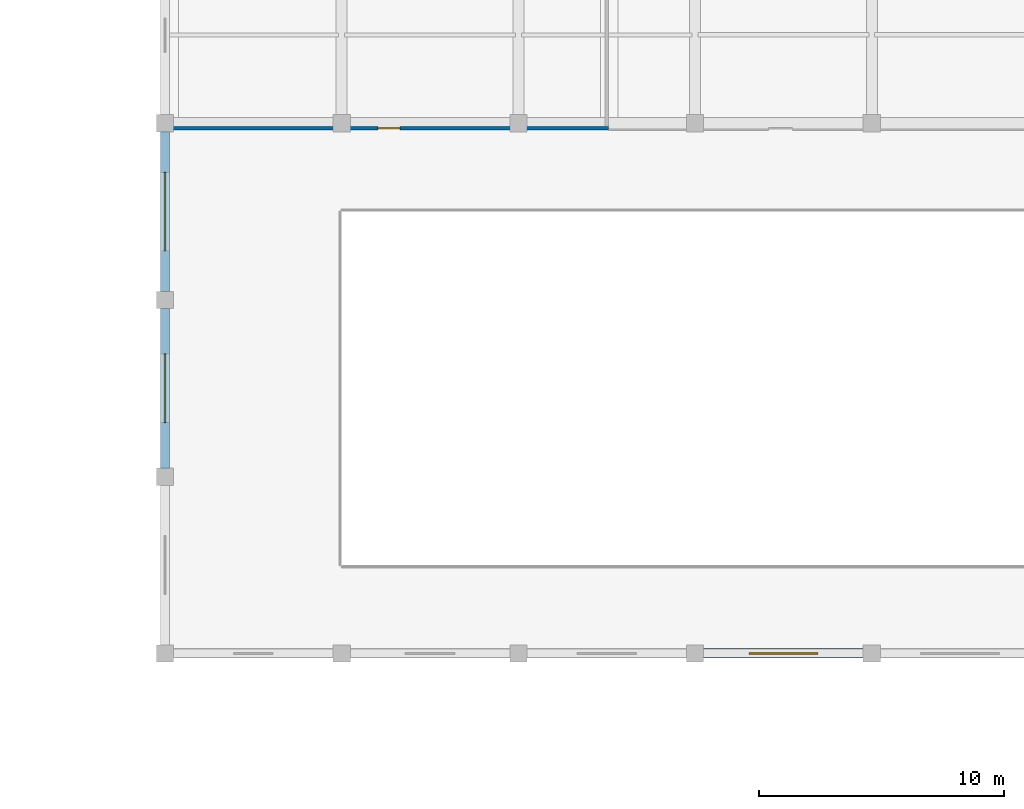
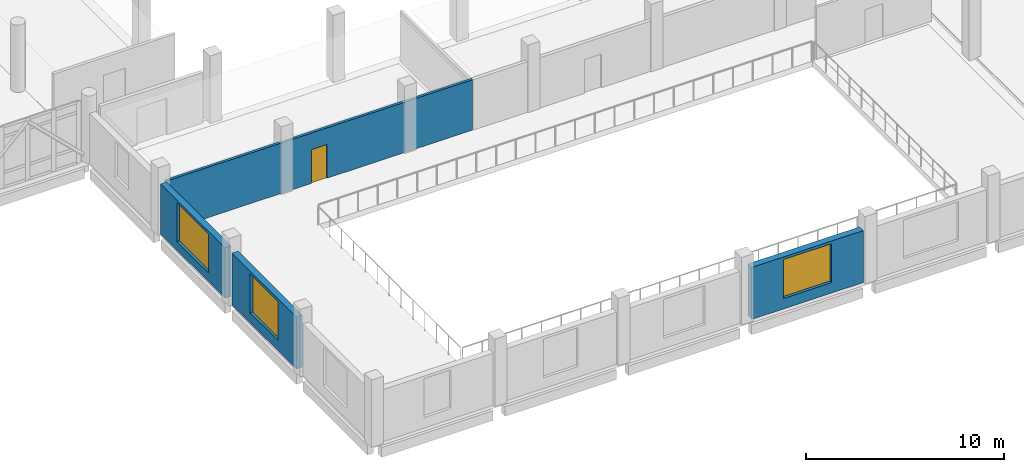
# One storey, part 34 of 57: 4 walls, 3 windows, 1 door, 4 openings.
"""IFC4 building model written with IfcOpenShell, lengths in metres."""

from ifc_helpers import new_model, si_unit, direction, frame, frame_2d, origin, place, context, subcontext, project, spatial, rectangle, extrude, material, layer, layer_set, type_object, element, fill, save


model = new_model("IFC4")

# Units and contexts
model_context = context("Model", 3, precision=1e-05, world=origin(), true_north=direction((0.0, 1.0)))
body_context = subcontext(model_context, "Body", "Model", "MODEL_VIEW")
ifc_project = project(units=[si_unit("LENGTHUNIT", "METRE"), si_unit("AREAUNIT", "SQUARE_METRE"), si_unit("VOLUMEUNIT", "CUBIC_METRE"), si_unit("PLANEANGLEUNIT", "RADIAN"), si_unit("MASSUNIT", "GRAM", prefix="KILO")], contexts=[model_context])

# Site, building, storey
site_placement = place(None, origin())
site = spatial("IfcSite", under=ifc_project, at=site_placement, CompositionType="ELEMENT")
building_placement = place(site_placement, origin())
building = spatial("IfcBuilding", under=site, at=building_placement, Name="Valkovuoma Quantum and Materials Research Institute", CompositionType="ELEMENT")
storey_placement = place(building_placement, frame((0.0, 0.0, 4.800048828125)))
storey = spatial("IfcBuildingStorey", under=building, at=storey_placement, Name="L01", CompositionType="ELEMENT", Elevation=4.800048828125)

# Wall, opening, window
ifc_material_1 = material(Name="Precast concrete C40/50", Category="concrete")
ifc_layer_1 = layer(ifc_material_1, 0.360107421875)
ifc_layer_set_1 = layer_set([ifc_layer_1], Name="Precast concrete C40/50")
wall_type_1 = type_object("IfcWallType", Name="Wall-W-EXT360", PredefinedType="SOLIDWALL", material=ifc_layer_set_1)
wall_1_placement = place(storey_placement, frame((100.800048828125, 14.739990234375, 0.0), z_axis=(0.0, 0.0, 1.0), x_axis=(0.0, 1.0, 0.0)))
wall_1 = element("IfcWall", 1, at=wall_1_placement, inside=storey, type_object=wall_type_1, Name="L01 exterior wall 0099", PredefinedType="SOLIDWALL", context=body_context, shape_type="SweptSolid", body=[
    extrude(rectangle(XDim=6.52001953125, YDim=0.360107421875, at=frame_2d((3.260009765625, 0.0))), origin(), (0.0, 0.0, 1.0), 3.2099609375),
])
opening_1_placement = place(wall_1_placement, frame((1.860107421875, 0.0, 0.64990234375)))
opening_1 = element("IfcOpeningElement", 2, at=opening_1_placement, cuts=wall_1, Name="Opening WN-LF04", PredefinedType="OPENING", context=body_context, shape_type="SweptSolid", body=[
    extrude(rectangle(XDim=2.800048828125, YDim=2.39990234375, at=frame_2d((1.39990234375, 1.199951171875))), frame((0.0, 0.18994140625, 0.0), z_axis=(0.0, -1.0, 0.0), x_axis=(1.0, 0.0, 0.0)), (0.0, 0.0, 1.0), 0.380126953125),
])
ifc_material_2 = material(Name="Triple low-E argon glazing in thermally broken aluminium frame", Category="aluminium")
window_type_1 = type_object("IfcWindowType", Name="Win-WN-LF04", PartitioningType="SINGLE_PANEL", PredefinedType="WINDOW", material=ifc_material_2)
window_1_placement = place(opening_1_placement, origin())
window_1 = element("IfcWindow", 3, at=window_1_placement, inside=storey, type_object=window_type_1, Name="L01 window 0088", OverallHeight=2.39990234375, OverallWidth=2.800048828125, PartitioningType="SINGLE_PANEL", PredefinedType="WINDOW", context=body_context, shape_type="SweptSolid", body=[
    extrude(rectangle(XDim=2.800048828125, YDim=2.39990234375, at=frame_2d((1.39990234375, 1.199951171875))), frame((0.0, 0.030029296875, 0.0), z_axis=(0.0, -1.0, 0.0), x_axis=(1.0, 0.0, 0.0)), (0.0, 0.0, 1.0), 0.06005859375),
])
fill(opening_1, window_1)

wall_2_placement = place(storey_placement, frame((100.800048828125, 21.93994140625, 0.0), z_axis=(0.0, 0.0, 1.0), x_axis=(0.0, 1.0, 0.0)))
wall_2 = element("IfcWall", 4, at=wall_2_placement, inside=storey, type_object=wall_type_1, Name="L01 exterior wall 0100", PredefinedType="SOLIDWALL", context=body_context, shape_type="SweptSolid", body=[
    extrude(rectangle(XDim=6.52001953125, YDim=0.360107421875, at=frame_2d((3.260009765625, 0.0))), origin(), (0.0, 0.0, 1.0), 3.10986328125),
])
opening_2_placement = place(wall_2_placement, frame((1.659912109375, 0.0, 0.550048828125)))
opening_2 = element("IfcOpeningElement", 5, at=opening_2_placement, cuts=wall_2, Name="Opening WN-LF05", PredefinedType="OPENING", context=body_context, shape_type="SweptSolid", body=[
    extrude(rectangle(XDim=3.199951171875, YDim=2.39990234375, at=frame_2d((1.60009765625, 1.199951171875))), frame((0.0, 0.18994140625, 0.0), z_axis=(0.0, -1.0, 0.0), x_axis=(1.0, 0.0, 0.0)), (0.0, 0.0, 1.0), 0.380126953125),
])
ifc_material_3 = material(Name="Triple low-E argon glazing in thermally broken aluminium frame", Category="aluminium")
window_type_2 = type_object("IfcWindowType", Name="Win-WN-LF05", PartitioningType="SINGLE_PANEL", PredefinedType="WINDOW", material=ifc_material_3)
window_2_placement = place(opening_2_placement, origin())
window_2 = element("IfcWindow", 6, at=window_2_placement, inside=storey, type_object=window_type_2, Name="L01 window 0089", OverallHeight=2.39990234375, OverallWidth=3.199951171875, PartitioningType="SINGLE_PANEL", PredefinedType="WINDOW", context=body_context, shape_type="SweptSolid", body=[
    extrude(rectangle(XDim=3.199951171875, YDim=2.39990234375, at=frame_2d((1.60009765625, 1.199951171875))), frame((0.0, 0.030029296875, 0.0), z_axis=(0.0, -1.0, 0.0), x_axis=(1.0, 0.0, 0.0)), (0.0, 0.0, 1.0), 0.06005859375),
])
fill(opening_2, window_2)

ifc_material_4 = material(Name="Precast concrete C40/50", Category="concrete")
ifc_layer_2 = layer(ifc_material_4, 0.3798828125)
ifc_layer_set_2 = layer_set([ifc_layer_2], Name="Precast concrete C40/50")
wall_type_2 = type_object("IfcWallType", Name="Wall-W-EXT380", PredefinedType="SOLIDWALL", material=ifc_layer_set_2)
wall_3_placement = place(storey_placement, frame((122.739990234375, 7.199951171875, 0.0), z_axis=(0.0, 0.0, 1.0), x_axis=(1.0, 0.0, 0.0)))
wall_3 = element("IfcWall", 7, at=wall_3_placement, inside=storey, type_object=wall_type_2, Name="L01 exterior wall 0095", PredefinedType="SOLIDWALL", context=body_context, shape_type="SweptSolid", body=[
    extrude(rectangle(XDim=6.52001953125, YDim=0.3798828125, at=frame_2d((3.260009765625, 0.0))), origin(), (0.0, 0.0, 1.0), 3.2099609375),
])
opening_3_placement = place(wall_3_placement, frame((1.860107421875, 0.0, 0.64990234375)))
opening_3 = element("IfcOpeningElement", 8, at=opening_3_placement, cuts=wall_3, Name="Opening WN-LF04", PredefinedType="OPENING", context=body_context, shape_type="SweptSolid", body=[
    extrude(rectangle(XDim=2.800048828125, YDim=2.39990234375, at=frame_2d((1.39990234375, 1.199951171875))), frame((0.0, 0.199951171875, 0.0), z_axis=(0.0, -1.0, 0.0), x_axis=(1.0, 0.0, 0.0)), (0.0, 0.0, 1.0), 0.39990234375),
])
window_3_placement = place(opening_3_placement, origin())
window_3 = element("IfcWindow", 9, at=window_3_placement, inside=storey, type_object=window_type_1, Name="L01 window 0084", OverallHeight=2.39990234375, OverallWidth=2.800048828125, PartitioningType="SINGLE_PANEL", PredefinedType="WINDOW", context=body_context, shape_type="SweptSolid", body=[
    extrude(rectangle(XDim=2.800048828125, YDim=2.39990234375, at=frame_2d((1.39990234375, 1.199951171875))), frame((0.0, 0.030029296875, 0.0), z_axis=(0.0, -1.0, 0.0), x_axis=(1.0, 0.0, 0.0)), (0.0, 0.0, 1.0), 0.06005859375),
])
fill(opening_3, window_3)

# Wall, opening, door
ifc_material_5 = material(Name="Acoustic write-up studio partition", Category="masonry")
ifc_layer_3 = layer(ifc_material_5, 0.14990234375)
ifc_layer_set_3 = layer_set([ifc_layer_3], Name="Acoustic write-up studio partition")
wall_type_3 = type_object("IfcWallType", Name="Wall-W-PRT150", PredefinedType="PARTITIONING", material=ifc_layer_set_3)
wall_4_placement = place(storey_placement, frame((100.97998046875, 28.60009765625, 0.0), z_axis=(0.0, 0.0, 1.0), x_axis=(1.0, 0.0, 0.0)))
wall_4 = element("IfcWall", 10, at=wall_4_placement, inside=storey, type_object=wall_type_3, Name="L01 partition 0071", PredefinedType="PARTITIONING", context=body_context, shape_type="SweptSolid", body=[
    extrude(rectangle(XDim=17.89501953125, YDim=0.14990234375, at=frame_2d((8.947509765625, 0.0))), origin(), (0.0, 0.0, 1.0), 3.10986328125),
])
opening_4_placement = place(wall_4_placement, frame((8.492431640625, 0.0, 0.0)))
opening_4 = element("IfcOpeningElement", 11, at=opening_4_placement, cuts=wall_4, Name="Opening ID-0053", PredefinedType="OPENING", context=body_context, shape_type="SweptSolid", body=[
    extrude(rectangle(XDim=0.909912109375, YDim=2.080078125, at=frame_2d((0.455078125, 1.0400390625))), frame((0.0, 0.0849609375, 0.0), z_axis=(0.0, -1.0, 0.0), x_axis=(1.0, 0.0, 0.0)), (0.0, 0.0, 1.0), 0.169921875),
])
ifc_material_6 = material(Name="Powder-coated steel and acoustic timber door assembly", Category="steel")
door_type = type_object("IfcDoorType", Name="Door-DR-RM01", OperationType="NOTDEFINED", PredefinedType="DOOR", material=ifc_material_6)
door_placement = place(opening_4_placement, origin())
door = element("IfcDoor", 12, at=door_placement, inside=storey, type_object=door_type, Name="L01 room door 0053", OperationType="SINGLE_SWING_RIGHT", OverallHeight=2.080078125, OverallWidth=0.909912109375, PredefinedType="DOOR", context=body_context, shape_type="SweptSolid", body=[
    extrude(rectangle(XDim=0.909912109375, YDim=2.080078125, at=frame_2d((0.455078125, 1.0400390625))), frame((0.0, 0.02490234375, 0.0), z_axis=(0.0, -1.0, 0.0), x_axis=(1.0, 0.0, 0.0)), (0.0, 0.0, 1.0), 0.050048828125),
])
fill(opening_4, door)

save(model, "model.ifc")
